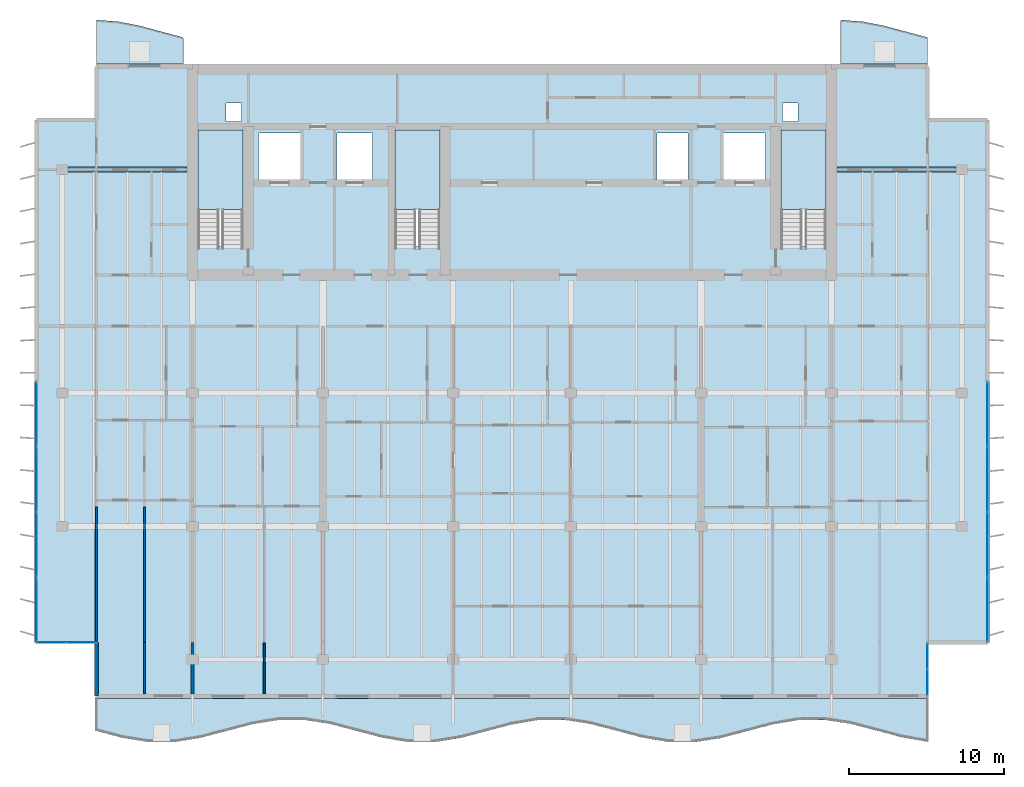
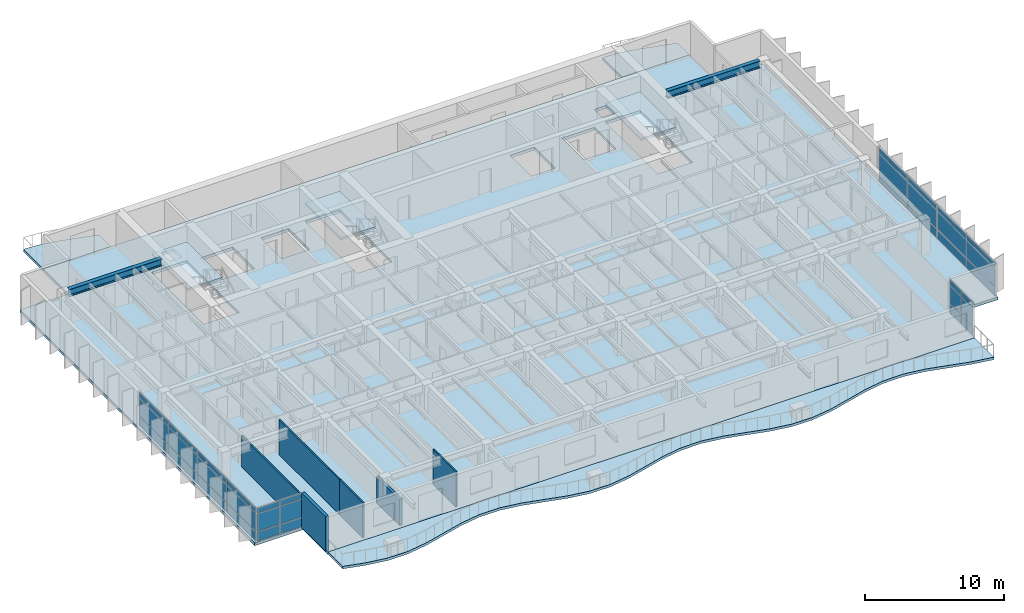
# One storey, part 5 of 17: 36 plates, 7 slabs, 6 walls, 2 beams, 7 elements without a shape of their own.
"""IFC4 building model written with IfcOpenShell, lengths in metres."""

from ifc_helpers import new_model, si_unit, direction, frame, frame_2d, origin, origin_2d, place, context, subcontext, project, spatial, polyline, rectangle, i_section, outline, extrude, material, layer, layer_set, material_profile, profile_set, type_object, element, aggregate, save


model = new_model("IFC4")

# Units and contexts
model_context = context("Model", 3, precision=1e-05, world=origin(), true_north=direction((0.0, 1.0)))
body_context = subcontext(model_context, "Body", "Model", "MODEL_VIEW")
ifc_project = project(units=[si_unit("LENGTHUNIT", "METRE"), si_unit("AREAUNIT", "SQUARE_METRE"), si_unit("VOLUMEUNIT", "CUBIC_METRE"), si_unit("PLANEANGLEUNIT", "RADIAN"), si_unit("MASSUNIT", "GRAM", prefix="KILO")], contexts=[model_context])

# Site, building, storey
site_placement = place(None, origin())
site = spatial("IfcSite", under=ifc_project, at=site_placement, CompositionType="ELEMENT")
building_placement = place(site_placement, origin())
building = spatial("IfcBuilding", under=site, at=building_placement, Name="Caelmar Bay Residences", CompositionType="ELEMENT")
storey_placement = place(building_placement, frame((0.0, 0.0, 246.300048828125)))
storey = spatial("IfcBuildingStorey", under=building, at=storey_placement, Name="L69", CompositionType="ELEMENT", Elevation=246.300048828125)

# Beams
ifc_material_1 = material(Name="Steel ASTM A992 Grade 50", Category="steel")
ifc_material_profile = material_profile(ifc_material_1, i_section(OverallWidth=0.324951171875, OverallDepth=0.616943359375, WebThickness=0.013916015625, FlangeThickness=0.021484375, FilletRadius=0.0126953125, at=origin_2d()), Name="W24X117")
ifc_profile_set = profile_set([ifc_material_profile], Name="Steel ASTM A992 Grade 50")
beam_type = type_object("IfcBeamType", Name="BM-SPN-W24X117", PredefinedType="SPANDREL", material=ifc_profile_set)
beam_1_placement = place(storey_placement, frame((10.264892578125, 43.800048828125, 2.741455078125), z_axis=(1.0, 0.0, 0.0), x_axis=(0.0, 1.0, 0.0)))
element("IfcBeam", 1, at=beam_1_placement, inside=storey, type_object=beam_type, Name="L69 North-West Wing Core Tie Girder", PredefinedType="SPANDREL", context=body_context, shape_type="SweptSolid", body=[
    extrude(i_section(OverallWidth=0.324951171875, OverallDepth=0.616943359375, WebThickness=0.013916015625, FlangeThickness=0.021484375, FilletRadius=0.0126953125, at=origin_2d()), origin(), (0.0, 0.0, 1.0), 7.68505859375),
])
beam_2_placement = place(storey_placement, frame((59.85009765625, 43.800048828125, 2.741455078125), z_axis=(1.0, 0.0, 0.0), x_axis=(0.0, 1.0, 0.0)))
element("IfcBeam", 2, at=beam_2_placement, inside=storey, type_object=beam_type, Name="L69 North-East Wing Core Tie Girder", PredefinedType="SPANDREL", context=body_context, shape_type="SweptSolid", body=[
    extrude(i_section(OverallWidth=0.324951171875, OverallDepth=0.616943359375, WebThickness=0.013916015625, FlangeThickness=0.021484375, FilletRadius=0.0126953125, at=origin_2d()), origin(), (0.0, 0.0, 1.0), 7.684814453125),
])

# Curtain wall, plates
ifc_material_2 = material(Name="Anodised bronze aluminium 6063-T6 and laminated glass", Category="aluminium")
ifc_layer_1 = layer(ifc_material_2, 0.179931640625)
ifc_layer_set_1 = layer_set([ifc_layer_1], Name="Anodised bronze aluminium 6063-T6 and laminated glass")
curtain_wall_type_1 = type_object("IfcCurtainWallType", Name="CW6-NTC", PredefinedType="NOTDEFINED", material=ifc_layer_set_1)
curtain_wall_1_placement = place(storey_placement, origin())
curtain_wall_1 = element("IfcCurtainWall", 3, at=curtain_wall_1_placement, inside=storey, type_object=curtain_wall_type_1, Name="CW6 curtain wall L69", PredefinedType="NOTDEFINED")
ifc_material_3 = material(Name="Bronze-tinted laminated low-E hurricane glass 28 mm", Category="glass")
ifc_layer_2 = layer(ifc_material_3, 0.028076171875)
ifc_layer_set_2 = layer_set([ifc_layer_2], Name="Bronze-tinted laminated low-E hurricane glass 28 mm")
plate_type_1 = type_object("IfcPlateType", Name="CWP-GLZ28", PredefinedType="CURTAIN_PANEL", material=ifc_layer_set_2)
plate_1_placement = place(storey_placement, frame((9.232421875, 13.300048828125, 0.080078125), z_axis=(0.0, 0.0, 1.0), x_axis=(1.0, 0.0, 0.0)))
plate_1 = element("IfcPlate", 4, at=plate_1_placement, type_object=plate_type_1, Name="CW6 panel 1.1", PredefinedType="CURTAIN_PANEL", context=body_context, shape_type="SweptSolid", body=[
    extrude(rectangle(XDim=1.804931640625, YDim=0.028076171875, at=origin_2d()), origin(), (0.0, 0.0, 1.0), 0.780029296875),
])
plate_2_placement = place(storey_placement, frame((9.232421875, 13.300048828125, 0.93994140625), z_axis=(0.0, 0.0, 1.0), x_axis=(1.0, 0.0, 0.0)))
plate_2 = element("IfcPlate", 5, at=plate_2_placement, type_object=plate_type_1, Name="CW6 panel 1.2", PredefinedType="CURTAIN_PANEL", context=body_context, shape_type="SweptSolid", body=[
    extrude(rectangle(XDim=1.804931640625, YDim=0.028076171875, at=origin_2d()), origin(), (0.0, 0.0, 1.0), 1.52001953125),
])
plate_3_placement = place(storey_placement, frame((9.232421875, 13.300048828125, 2.5400390625), z_axis=(0.0, 0.0, 1.0), x_axis=(1.0, 0.0, 0.0)))
plate_3 = element("IfcPlate", 6, at=plate_3_placement, type_object=plate_type_1, Name="CW6 panel 1.3", PredefinedType="CURTAIN_PANEL", context=body_context, shape_type="SweptSolid", body=[
    extrude(rectangle(XDim=1.804931640625, YDim=0.028076171875, at=origin_2d()), origin(), (0.0, 0.0, 1.0), 0.429931640625),
])
plate_4_placement = place(storey_placement, frame((11.117431640625, 13.300048828125, 0.080078125), z_axis=(0.0, 0.0, 1.0), x_axis=(1.0, 0.0, 0.0)))
plate_4 = element("IfcPlate", 7, at=plate_4_placement, type_object=plate_type_1, Name="CW6 panel 2.1", PredefinedType="CURTAIN_PANEL", context=body_context, shape_type="SweptSolid", body=[
    extrude(rectangle(XDim=1.804931640625, YDim=0.028076171875, at=origin_2d()), origin(), (0.0, 0.0, 1.0), 0.780029296875),
])
plate_5_placement = place(storey_placement, frame((11.117431640625, 13.300048828125, 0.93994140625), z_axis=(0.0, 0.0, 1.0), x_axis=(1.0, 0.0, 0.0)))
plate_5 = element("IfcPlate", 8, at=plate_5_placement, type_object=plate_type_1, Name="CW6 panel 2.2", PredefinedType="CURTAIN_PANEL", context=body_context, shape_type="SweptSolid", body=[
    extrude(rectangle(XDim=1.804931640625, YDim=0.028076171875, at=origin_2d()), origin(), (0.0, 0.0, 1.0), 1.52001953125),
])
plate_6_placement = place(storey_placement, frame((11.117431640625, 13.300048828125, 2.5400390625), z_axis=(0.0, 0.0, 1.0), x_axis=(1.0, 0.0, 0.0)))
plate_6 = element("IfcPlate", 9, at=plate_6_placement, type_object=plate_type_1, Name="CW6 panel 2.3", PredefinedType="CURTAIN_PANEL", context=body_context, shape_type="SweptSolid", body=[
    extrude(rectangle(XDim=1.804931640625, YDim=0.028076171875, at=origin_2d()), origin(), (0.0, 0.0, 1.0), 0.429931640625),
])
aggregate(curtain_wall_1, [plate_1, plate_2, plate_3, plate_4, plate_5, plate_6])

curtain_wall_2_placement = place(storey_placement, origin())
curtain_wall_2 = element("IfcCurtainWall", 10, at=curtain_wall_2_placement, inside=storey, type_object=curtain_wall_type_1, Name="CW6 curtain wall L69", PredefinedType="NOTDEFINED")
plate_7_placement = place(storey_placement, frame((65.699951171875, 10.732421875, 0.080078125), z_axis=(0.0, 0.0, 1.0), x_axis=(0.0, 1.0, 0.0)))
plate_7 = element("IfcPlate", 11, at=plate_7_placement, type_object=plate_type_1, Name="CW6 panel 1.1", PredefinedType="CURTAIN_PANEL", context=body_context, shape_type="SweptSolid", body=[
    extrude(rectangle(XDim=1.60498046875, YDim=0.028076171875, at=origin_2d()), origin(), (0.0, 0.0, 1.0), 0.780029296875),
])
plate_8_placement = place(storey_placement, frame((65.699951171875, 10.732421875, 0.93994140625), z_axis=(0.0, 0.0, 1.0), x_axis=(0.0, 1.0, 0.0)))
plate_8 = element("IfcPlate", 12, at=plate_8_placement, type_object=plate_type_1, Name="CW6 panel 1.2", PredefinedType="CURTAIN_PANEL", context=body_context, shape_type="SweptSolid", body=[
    extrude(rectangle(XDim=1.60498046875, YDim=0.028076171875, at=origin_2d()), origin(), (0.0, 0.0, 1.0), 1.52001953125),
])
plate_9_placement = place(storey_placement, frame((65.699951171875, 10.732421875, 2.5400390625), z_axis=(0.0, 0.0, 1.0), x_axis=(0.0, 1.0, 0.0)))
plate_9 = element("IfcPlate", 13, at=plate_9_placement, type_object=plate_type_1, Name="CW6 panel 1.3", PredefinedType="CURTAIN_PANEL", context=body_context, shape_type="SweptSolid", body=[
    extrude(rectangle(XDim=1.60498046875, YDim=0.028076171875, at=origin_2d()), origin(), (0.0, 0.0, 1.0), 0.429931640625),
])
plate_10_placement = place(storey_placement, frame((65.699951171875, 12.41748046875, 0.080078125), z_axis=(0.0, 0.0, 1.0), x_axis=(0.0, 1.0, 0.0)))
plate_10 = element("IfcPlate", 14, at=plate_10_placement, type_object=plate_type_1, Name="CW6 panel 2.1", PredefinedType="CURTAIN_PANEL", context=body_context, shape_type="SweptSolid", body=[
    extrude(rectangle(XDim=1.60498046875, YDim=0.028076171875, at=origin_2d()), origin(), (0.0, 0.0, 1.0), 0.780029296875),
])
plate_11_placement = place(storey_placement, frame((65.699951171875, 12.41748046875, 0.93994140625), z_axis=(0.0, 0.0, 1.0), x_axis=(0.0, 1.0, 0.0)))
plate_11 = element("IfcPlate", 15, at=plate_11_placement, type_object=plate_type_1, Name="CW6 panel 2.2", PredefinedType="CURTAIN_PANEL", context=body_context, shape_type="SweptSolid", body=[
    extrude(rectangle(XDim=1.60498046875, YDim=0.028076171875, at=origin_2d()), origin(), (0.0, 0.0, 1.0), 1.52001953125),
])
plate_12_placement = place(storey_placement, frame((65.699951171875, 12.41748046875, 2.5400390625), z_axis=(0.0, 0.0, 1.0), x_axis=(0.0, 1.0, 0.0)))
plate_12 = element("IfcPlate", 16, at=plate_12_placement, type_object=plate_type_1, Name="CW6 panel 2.3", PredefinedType="CURTAIN_PANEL", context=body_context, shape_type="SweptSolid", body=[
    extrude(rectangle(XDim=1.60498046875, YDim=0.028076171875, at=origin_2d()), origin(), (0.0, 0.0, 1.0), 0.429931640625),
])
aggregate(curtain_wall_2, [plate_7, plate_8, plate_9, plate_10, plate_11, plate_12])

ifc_layer_3 = layer(ifc_material_2, 0.179931640625)
ifc_layer_set_3 = layer_set([ifc_layer_3], Name="Anodised bronze aluminium 6063-T6 and laminated glass")
curtain_wall_type_2 = type_object("IfcCurtainWallType", Name="CW5-Z4", PredefinedType="NOTDEFINED", material=ifc_layer_set_3)
curtain_wall_3_placement = place(storey_placement, origin())
curtain_wall_3 = element("IfcCurtainWall", 17, at=curtain_wall_3_placement, inside=storey, type_object=curtain_wall_type_2, Name="CW5 curtain wall L69", PredefinedType="NOTDEFINED")
ifc_material_4 = material(Name="Bronze-tinted laminated low-E hurricane glass 32 mm", Category="glass")
ifc_layer_4 = layer(ifc_material_4, 0.031982421875)
ifc_layer_set_4 = layer_set([ifc_layer_4], Name="Bronze-tinted laminated low-E hurricane glass 32 mm")
plate_type_2 = type_object("IfcPlateType", Name="CWP-GLZ32", PredefinedType="CURTAIN_PANEL", material=ifc_layer_set_4)
plate_13_placement = place(storey_placement, frame((8.25, 15.42626953125, 0.080078125), z_axis=(0.0, 0.0, 1.0), x_axis=(0.0, 1.0, 0.0)))
plate_13 = element("IfcPlate", 18, at=plate_13_placement, type_object=plate_type_2, Name="CW5 panel 1.1", PredefinedType="CURTAIN_PANEL", context=body_context, shape_type="SweptSolid", body=[
    extrude(rectangle(XDim=4.092529296875, YDim=0.031982421875, at=origin_2d()), origin(), (0.0, 0.0, 1.0), 0.780029296875),
])
plate_14_placement = place(storey_placement, frame((8.25, 15.42626953125, 0.93994140625), z_axis=(0.0, 0.0, 1.0), x_axis=(0.0, 1.0, 0.0)))
plate_14 = element("IfcPlate", 19, at=plate_14_placement, type_object=plate_type_2, Name="CW5 panel 1.2", PredefinedType="CURTAIN_PANEL", context=body_context, shape_type="SweptSolid", body=[
    extrude(rectangle(XDim=4.092529296875, YDim=0.031982421875, at=origin_2d()), origin(), (0.0, 0.0, 1.0), 1.52001953125),
])
plate_15_placement = place(storey_placement, frame((8.25, 15.42626953125, 2.5400390625), z_axis=(0.0, 0.0, 1.0), x_axis=(0.0, 1.0, 0.0)))
plate_15 = element("IfcPlate", 20, at=plate_15_placement, type_object=plate_type_2, Name="CW5 panel 1.3", PredefinedType="CURTAIN_PANEL", context=body_context, shape_type="SweptSolid", body=[
    extrude(rectangle(XDim=4.092529296875, YDim=0.031982421875, at=origin_2d()), origin(), (0.0, 0.0, 1.0), 0.429931640625),
])
plate_16_placement = place(storey_placement, frame((8.25, 19.61865234375, 0.080078125), z_axis=(0.0, 0.0, 1.0), x_axis=(0.0, 1.0, 0.0)))
plate_16 = element("IfcPlate", 21, at=plate_16_placement, type_object=plate_type_2, Name="CW5 panel 2.1", PredefinedType="CURTAIN_PANEL", context=body_context, shape_type="SweptSolid", body=[
    extrude(rectangle(XDim=4.132568359375, YDim=0.031982421875, at=origin_2d()), origin(), (0.0, 0.0, 1.0), 0.780029296875),
])
plate_17_placement = place(storey_placement, frame((8.25, 19.61865234375, 0.93994140625), z_axis=(0.0, 0.0, 1.0), x_axis=(0.0, 1.0, 0.0)))
plate_17 = element("IfcPlate", 22, at=plate_17_placement, type_object=plate_type_2, Name="CW5 panel 2.2", PredefinedType="CURTAIN_PANEL", context=body_context, shape_type="SweptSolid", body=[
    extrude(rectangle(XDim=4.132568359375, YDim=0.031982421875, at=origin_2d()), origin(), (0.0, 0.0, 1.0), 1.52001953125),
])
plate_18_placement = place(storey_placement, frame((8.25, 19.61865234375, 2.5400390625), z_axis=(0.0, 0.0, 1.0), x_axis=(0.0, 1.0, 0.0)))
plate_18 = element("IfcPlate", 23, at=plate_18_placement, type_object=plate_type_2, Name="CW5 panel 2.3", PredefinedType="CURTAIN_PANEL", context=body_context, shape_type="SweptSolid", body=[
    extrude(rectangle(XDim=4.132568359375, YDim=0.031982421875, at=origin_2d()), origin(), (0.0, 0.0, 1.0), 0.429931640625),
])
plate_19_placement = place(storey_placement, frame((8.25, 23.831298828125, 0.080078125), z_axis=(0.0, 0.0, 1.0), x_axis=(0.0, 1.0, 0.0)))
plate_19 = element("IfcPlate", 24, at=plate_19_placement, type_object=plate_type_2, Name="CW5 panel 3.1", PredefinedType="CURTAIN_PANEL", context=body_context, shape_type="SweptSolid", body=[
    extrude(rectangle(XDim=4.132568359375, YDim=0.031982421875, at=origin_2d()), origin(), (0.0, 0.0, 1.0), 0.780029296875),
])
plate_20_placement = place(storey_placement, frame((8.25, 23.831298828125, 0.93994140625), z_axis=(0.0, 0.0, 1.0), x_axis=(0.0, 1.0, 0.0)))
plate_20 = element("IfcPlate", 25, at=plate_20_placement, type_object=plate_type_2, Name="CW5 panel 3.2", PredefinedType="CURTAIN_PANEL", context=body_context, shape_type="SweptSolid", body=[
    extrude(rectangle(XDim=4.132568359375, YDim=0.031982421875, at=origin_2d()), origin(), (0.0, 0.0, 1.0), 1.52001953125),
])
plate_21_placement = place(storey_placement, frame((8.25, 23.831298828125, 2.5400390625), z_axis=(0.0, 0.0, 1.0), x_axis=(0.0, 1.0, 0.0)))
plate_21 = element("IfcPlate", 26, at=plate_21_placement, type_object=plate_type_2, Name="CW5 panel 3.3", PredefinedType="CURTAIN_PANEL", context=body_context, shape_type="SweptSolid", body=[
    extrude(rectangle(XDim=4.132568359375, YDim=0.031982421875, at=origin_2d()), origin(), (0.0, 0.0, 1.0), 0.429931640625),
])
plate_22_placement = place(storey_placement, frame((8.25, 28.023681640625, 0.080078125), z_axis=(0.0, 0.0, 1.0), x_axis=(0.0, 1.0, 0.0)))
plate_22 = element("IfcPlate", 27, at=plate_22_placement, type_object=plate_type_2, Name="CW5 panel 4.1", PredefinedType="CURTAIN_PANEL", context=body_context, shape_type="SweptSolid", body=[
    extrude(rectangle(XDim=4.092529296875, YDim=0.031982421875, at=origin_2d()), origin(), (0.0, 0.0, 1.0), 0.780029296875),
])
plate_23_placement = place(storey_placement, frame((8.25, 28.023681640625, 0.93994140625), z_axis=(0.0, 0.0, 1.0), x_axis=(0.0, 1.0, 0.0)))
plate_23 = element("IfcPlate", 28, at=plate_23_placement, type_object=plate_type_2, Name="CW5 panel 4.2", PredefinedType="CURTAIN_PANEL", context=body_context, shape_type="SweptSolid", body=[
    extrude(rectangle(XDim=4.092529296875, YDim=0.031982421875, at=origin_2d()), origin(), (0.0, 0.0, 1.0), 1.52001953125),
])
plate_24_placement = place(storey_placement, frame((8.25, 28.023681640625, 2.5400390625), z_axis=(0.0, 0.0, 1.0), x_axis=(0.0, 1.0, 0.0)))
plate_24 = element("IfcPlate", 29, at=plate_24_placement, type_object=plate_type_2, Name="CW5 panel 4.3", PredefinedType="CURTAIN_PANEL", context=body_context, shape_type="SweptSolid", body=[
    extrude(rectangle(XDim=4.092529296875, YDim=0.031982421875, at=origin_2d()), origin(), (0.0, 0.0, 1.0), 0.429931640625),
])
aggregate(curtain_wall_3, [plate_13, plate_14, plate_15, plate_16, plate_17, plate_18, plate_19, plate_20, plate_21, plate_22, plate_23, plate_24])

curtain_wall_4_placement = place(storey_placement, origin())
curtain_wall_4 = element("IfcCurtainWall", 30, at=curtain_wall_4_placement, inside=storey, type_object=curtain_wall_type_2, Name="CW5 curtain wall L69", PredefinedType="NOTDEFINED")
plate_25_placement = place(storey_placement, frame((69.550048828125, 28.023681640625, 0.080078125), z_axis=(0.0, 0.0, 1.0), x_axis=(0.0, -1.0, 0.0)))
plate_25 = element("IfcPlate", 31, at=plate_25_placement, type_object=plate_type_2, Name="CW5 panel 1.1", PredefinedType="CURTAIN_PANEL", context=body_context, shape_type="SweptSolid", body=[
    extrude(rectangle(XDim=4.092529296875, YDim=0.031982421875, at=origin_2d()), origin(), (0.0, 0.0, 1.0), 0.780029296875),
])
plate_26_placement = place(storey_placement, frame((69.550048828125, 28.023681640625, 0.93994140625), z_axis=(0.0, 0.0, 1.0), x_axis=(0.0, -1.0, 0.0)))
plate_26 = element("IfcPlate", 32, at=plate_26_placement, type_object=plate_type_2, Name="CW5 panel 1.2", PredefinedType="CURTAIN_PANEL", context=body_context, shape_type="SweptSolid", body=[
    extrude(rectangle(XDim=4.092529296875, YDim=0.031982421875, at=origin_2d()), origin(), (0.0, 0.0, 1.0), 1.52001953125),
])
plate_27_placement = place(storey_placement, frame((69.550048828125, 28.023681640625, 2.5400390625), z_axis=(0.0, 0.0, 1.0), x_axis=(0.0, -1.0, 0.0)))
plate_27 = element("IfcPlate", 33, at=plate_27_placement, type_object=plate_type_2, Name="CW5 panel 1.3", PredefinedType="CURTAIN_PANEL", context=body_context, shape_type="SweptSolid", body=[
    extrude(rectangle(XDim=4.092529296875, YDim=0.031982421875, at=origin_2d()), origin(), (0.0, 0.0, 1.0), 0.429931640625),
])
plate_28_placement = place(storey_placement, frame((69.550048828125, 23.831298828125, 0.080078125), z_axis=(0.0, 0.0, 1.0), x_axis=(0.0, -1.0, 0.0)))
plate_28 = element("IfcPlate", 34, at=plate_28_placement, type_object=plate_type_2, Name="CW5 panel 2.1", PredefinedType="CURTAIN_PANEL", context=body_context, shape_type="SweptSolid", body=[
    extrude(rectangle(XDim=4.132568359375, YDim=0.031982421875, at=origin_2d()), origin(), (0.0, 0.0, 1.0), 0.780029296875),
])
plate_29_placement = place(storey_placement, frame((69.550048828125, 23.831298828125, 0.93994140625), z_axis=(0.0, 0.0, 1.0), x_axis=(0.0, -1.0, 0.0)))
plate_29 = element("IfcPlate", 35, at=plate_29_placement, type_object=plate_type_2, Name="CW5 panel 2.2", PredefinedType="CURTAIN_PANEL", context=body_context, shape_type="SweptSolid", body=[
    extrude(rectangle(XDim=4.132568359375, YDim=0.031982421875, at=origin_2d()), origin(), (0.0, 0.0, 1.0), 1.52001953125),
])
plate_30_placement = place(storey_placement, frame((69.550048828125, 23.831298828125, 2.5400390625), z_axis=(0.0, 0.0, 1.0), x_axis=(0.0, -1.0, 0.0)))
plate_30 = element("IfcPlate", 36, at=plate_30_placement, type_object=plate_type_2, Name="CW5 panel 2.3", PredefinedType="CURTAIN_PANEL", context=body_context, shape_type="SweptSolid", body=[
    extrude(rectangle(XDim=4.132568359375, YDim=0.031982421875, at=origin_2d()), origin(), (0.0, 0.0, 1.0), 0.429931640625),
])
plate_31_placement = place(storey_placement, frame((69.550048828125, 19.61865234375, 0.080078125), z_axis=(0.0, 0.0, 1.0), x_axis=(0.0, -1.0, 0.0)))
plate_31 = element("IfcPlate", 37, at=plate_31_placement, type_object=plate_type_2, Name="CW5 panel 3.1", PredefinedType="CURTAIN_PANEL", context=body_context, shape_type="SweptSolid", body=[
    extrude(rectangle(XDim=4.132568359375, YDim=0.031982421875, at=origin_2d()), origin(), (0.0, 0.0, 1.0), 0.780029296875),
])
plate_32_placement = place(storey_placement, frame((69.550048828125, 19.61865234375, 0.93994140625), z_axis=(0.0, 0.0, 1.0), x_axis=(0.0, -1.0, 0.0)))
plate_32 = element("IfcPlate", 38, at=plate_32_placement, type_object=plate_type_2, Name="CW5 panel 3.2", PredefinedType="CURTAIN_PANEL", context=body_context, shape_type="SweptSolid", body=[
    extrude(rectangle(XDim=4.132568359375, YDim=0.031982421875, at=origin_2d()), origin(), (0.0, 0.0, 1.0), 1.52001953125),
])
plate_33_placement = place(storey_placement, frame((69.550048828125, 19.61865234375, 2.5400390625), z_axis=(0.0, 0.0, 1.0), x_axis=(0.0, -1.0, 0.0)))
plate_33 = element("IfcPlate", 39, at=plate_33_placement, type_object=plate_type_2, Name="CW5 panel 3.3", PredefinedType="CURTAIN_PANEL", context=body_context, shape_type="SweptSolid", body=[
    extrude(rectangle(XDim=4.132568359375, YDim=0.031982421875, at=origin_2d()), origin(), (0.0, 0.0, 1.0), 0.429931640625),
])
plate_34_placement = place(storey_placement, frame((69.550048828125, 15.42626953125, 0.080078125), z_axis=(0.0, 0.0, 1.0), x_axis=(0.0, -1.0, 0.0)))
plate_34 = element("IfcPlate", 40, at=plate_34_placement, type_object=plate_type_2, Name="CW5 panel 4.1", PredefinedType="CURTAIN_PANEL", context=body_context, shape_type="SweptSolid", body=[
    extrude(rectangle(XDim=4.092529296875, YDim=0.031982421875, at=origin_2d()), origin(), (0.0, 0.0, 1.0), 0.780029296875),
])
plate_35_placement = place(storey_placement, frame((69.550048828125, 15.42626953125, 0.93994140625), z_axis=(0.0, 0.0, 1.0), x_axis=(0.0, -1.0, 0.0)))
plate_35 = element("IfcPlate", 41, at=plate_35_placement, type_object=plate_type_2, Name="CW5 panel 4.2", PredefinedType="CURTAIN_PANEL", context=body_context, shape_type="SweptSolid", body=[
    extrude(rectangle(XDim=4.092529296875, YDim=0.031982421875, at=origin_2d()), origin(), (0.0, 0.0, 1.0), 1.52001953125),
])
plate_36_placement = place(storey_placement, frame((69.550048828125, 15.42626953125, 2.5400390625), z_axis=(0.0, 0.0, 1.0), x_axis=(0.0, -1.0, 0.0)))
plate_36 = element("IfcPlate", 42, at=plate_36_placement, type_object=plate_type_2, Name="CW5 panel 4.3", PredefinedType="CURTAIN_PANEL", context=body_context, shape_type="SweptSolid", body=[
    extrude(rectangle(XDim=4.092529296875, YDim=0.031982421875, at=origin_2d()), origin(), (0.0, 0.0, 1.0), 0.429931640625),
])
aggregate(curtain_wall_4, [plate_25, plate_26, plate_27, plate_28, plate_29, plate_30, plate_31, plate_32, plate_33, plate_34, plate_35, plate_36])

# Slabs
ifc_material_5 = material(Name="Concrete f'c 40 MPa (6,000 psi)", Category="concrete")
ifc_layer_5 = layer(ifc_material_5, 0.219970703125)
ifc_layer_set_5 = layer_set([ifc_layer_5], Name="Concrete f'c 40 MPa (6,000 psi)")
slab_type_1 = type_object("IfcSlabType", Name="SLB-BAL-220", PredefinedType="FLOOR", material=ifc_layer_set_5)
slab_1_placement = place(storey_placement, frame((0.0, 0.0, -0.219970703125)))
element("IfcSlab", 43, at=slab_1_placement, inside=storey, type_object=slab_type_1, Name="L69 Sinusoidal Tree-Balcony Slab south", PredefinedType="FLOOR", context=body_context, shape_type="SweptSolid", body=[
    extrude(outline(polyline([(12.10009765625, 7.60009765625), (13.77490234375, 7.160400390625), (15.449951171875, 6.8876953125), (17.125, 6.885498046875), (18.800048828125, 7.154541015625), (20.47509765625, 7.593017578125), (22.14990234375, 8.033935546875), (23.824951171875, 8.310302734375), (25.5, 8.316650390625), (27.175048828125, 8.051025390625), (28.85009765625, 7.614013671875), (30.52490234375, 7.171630859375), (32.199951171875, 6.89208984375), (33.875, 6.88134765625), (35.550048828125, 7.143310546875), (37.22509765625, 7.5791015625), (38.89990234375, 8.0224609375), (40.574951171875, 8.3056640625), (42.25, 8.32080078125), (43.925048828125, 8.06201171875), (45.60009765625, 7.6279296875), (47.27490234375, 7.183349609375), (48.949951171875, 6.896728515625), (50.625, 6.87744140625), (52.300048828125, 7.13232421875), (53.97509765625, 7.56494140625), (55.64990234375, 8.0107421875), (57.324951171875, 8.30078125), (59.0, 8.324462890625), (60.675048828125, 8.072998046875), (62.35009765625, 7.64208984375), (64.02490234375, 7.195068359375), (65.699951171875, 6.90185546875), (65.699951171875, 9.699951171875), (12.10009765625, 9.699951171875), (12.10009765625, 7.60009765625)])), origin(), (0.0, 0.0, 1.0), 0.219970703125),
])
slab_2_placement = place(storey_placement, frame((0.0, 0.0, -0.219970703125)))
element("IfcSlab", 44, at=slab_2_placement, inside=storey, type_object=slab_type_1, Name="L69 Sinusoidal Tree-Balcony Slab north_west", PredefinedType="FLOOR", context=body_context, shape_type="SweptSolid", body=[
    extrude(outline(polyline([(12.10009765625, 50.60009765625), (17.699951171875, 50.60009765625), (17.699951171875, 52.324951171875), (16.300048828125, 52.699951171875), (14.89990234375, 53.074951171875), (13.5, 53.349609375), (12.10009765625, 53.449951171875), (12.10009765625, 50.60009765625)])), origin(), (0.0, 0.0, 1.0), 0.219970703125),
])
slab_3_placement = place(storey_placement, frame((0.0, 0.0, -0.219970703125)))
element("IfcSlab", 45, at=slab_3_placement, inside=storey, type_object=slab_type_1, Name="L69 Sinusoidal Tree-Balcony Slab north_east", PredefinedType="FLOOR", context=body_context, shape_type="SweptSolid", body=[
    extrude(outline(polyline([(60.10009765625, 50.60009765625), (65.699951171875, 50.60009765625), (65.699951171875, 52.324951171875), (64.300048828125, 52.699951171875), (62.89990234375, 53.074951171875), (61.5, 53.349609375), (60.10009765625, 53.449951171875), (60.10009765625, 50.60009765625)])), origin(), (0.0, 0.0, 1.0), 0.219970703125),
])

# Stair, slab
stair_type = type_object("IfcStairType", Name="ST-TYP-165", PredefinedType="HALF_TURN_STAIR", material=ifc_material_5)
stair_1_placement = place(storey_placement, origin())
stair_1 = element("IfcStair", 46, at=stair_1_placement, inside=storey, type_object=stair_type, Name="L69 West Smokeproof Exit Stair ST1", PredefinedType="HALF_TURN_STAIR")
ifc_layer_6 = layer(ifc_material_5, 0.199951171875)
ifc_layer_set_6 = layer_set([ifc_layer_6], Name="Concrete f'c 40 MPa (6,000 psi)")
slab_type_2 = type_object("IfcSlabType", Name="SLB-LND-200", PredefinedType="LANDING", material=ifc_layer_set_6)
slab_4_placement = place(storey_placement, frame((0.0, 0.0, 1.449951171875)))
slab_4 = element("IfcSlab", 47, at=slab_4_placement, type_object=slab_type_2, Name="ST1 landing 1", PredefinedType="LANDING", context=body_context, shape_type="SweptSolid", body=[
    extrude(outline(polyline([(21.550048828125, 41.219970703125), (21.550048828125, 46.35009765625), (18.64990234375, 46.35009765625), (18.64990234375, 41.219970703125), (21.550048828125, 41.219970703125)])), origin(), (0.0, 0.0, 1.0), 0.199951171875),
])
aggregate(stair_1, [slab_4])

stair_2_placement = place(storey_placement, origin())
stair_2 = element("IfcStair", 48, at=stair_2_placement, inside=storey, type_object=stair_type, Name="L69 East Smokeproof Exit Stair ST2", PredefinedType="HALF_TURN_STAIR")
slab_5_placement = place(storey_placement, frame((0.0, 0.0, 1.449951171875)))
slab_5 = element("IfcSlab", 49, at=slab_5_placement, type_object=slab_type_2, Name="ST2 landing 1", PredefinedType="LANDING", context=body_context, shape_type="SweptSolid", body=[
    extrude(outline(polyline([(59.14990234375, 41.219970703125), (59.14990234375, 46.35009765625), (56.25, 46.35009765625), (56.25, 41.219970703125), (59.14990234375, 41.219970703125)])), origin(), (0.0, 0.0, 1.0), 0.199951171875),
])
aggregate(stair_2, [slab_5])

stair_3_placement = place(storey_placement, origin())
stair_3 = element("IfcStair", 50, at=stair_3_placement, inside=storey, type_object=stair_type, Name="L69 Central Smokeproof Exit Stair ST3", PredefinedType="HALF_TURN_STAIR")
slab_6_placement = place(storey_placement, frame((0.0, 0.0, 1.449951171875)))
slab_6 = element("IfcSlab", 51, at=slab_6_placement, type_object=slab_type_2, Name="ST3 landing 1", PredefinedType="LANDING", context=body_context, shape_type="SweptSolid", body=[
    extrude(outline(polyline([(34.25, 41.219970703125), (34.25, 46.35009765625), (31.35009765625, 46.35009765625), (31.35009765625, 41.219970703125), (34.25, 41.219970703125)])), origin(), (0.0, 0.0, 1.0), 0.199951171875),
])
aggregate(stair_3, [slab_6])

# Slab
ifc_layer_7 = layer(ifc_material_5, 0.25)
ifc_layer_set_7 = layer_set([ifc_layer_7], Name="Concrete f'c 40 MPa (6,000 psi)")
slab_type_3 = type_object("IfcSlabType", Name="SLB-RES-250", PredefinedType="FLOOR", material=ifc_layer_set_7)
slab_7_placement = place(storey_placement, frame((0.0, 0.0, -0.25)))
element("IfcSlab", 52, at=slab_7_placement, inside=storey, type_object=slab_type_3, Name="L69 Structural Floor Slab", PredefinedType="FLOOR", context=body_context, shape_type="SweptSolid", body=[
    extrude(outline(polyline([(12.10009765625, 9.699951171875), (65.699951171875, 9.699951171875), (65.699951171875, 13.300048828125), (69.699951171875, 13.300048828125), (69.699951171875, 47.0), (65.699951171875, 47.0), (65.699951171875, 50.60009765625), (12.10009765625, 50.60009765625), (12.10009765625, 47.0), (8.10009765625, 47.0), (8.10009765625, 13.300048828125), (12.10009765625, 13.300048828125), (12.10009765625, 9.699951171875)]), holes=[polyline([(18.64990234375, 38.85009765625), (21.550048828125, 38.85009765625), (21.550048828125, 46.35009765625), (18.64990234375, 46.35009765625), (18.64990234375, 38.85009765625)]), polyline([(56.25, 38.85009765625), (59.14990234375, 38.85009765625), (59.14990234375, 46.35009765625), (56.25, 46.35009765625), (56.25, 38.85009765625)]), polyline([(31.35009765625, 38.85009765625), (34.25, 38.85009765625), (34.25, 46.35009765625), (31.35009765625, 46.35009765625), (31.35009765625, 38.85009765625)]), polyline([(22.550048828125, 43.050048828125), (25.25, 43.050048828125), (25.25, 46.14990234375), (22.550048828125, 46.14990234375), (22.550048828125, 43.050048828125)]), polyline([(52.550048828125, 43.050048828125), (55.25, 43.050048828125), (55.25, 46.14990234375), (52.550048828125, 46.14990234375), (52.550048828125, 43.050048828125)]), polyline([(48.25, 43.14990234375), (50.25, 43.14990234375), (50.25, 46.14990234375), (48.25, 46.14990234375), (48.25, 43.14990234375)]), polyline([(27.60009765625, 43.14990234375), (29.89990234375, 43.14990234375), (29.89990234375, 46.14990234375), (27.60009765625, 46.14990234375), (27.60009765625, 43.14990234375)]), polyline([(20.449951171875, 46.89990234375), (21.449951171875, 46.89990234375), (21.449951171875, 48.10009765625), (20.449951171875, 48.10009765625), (20.449951171875, 46.89990234375)]), polyline([(56.35009765625, 46.89990234375), (57.35009765625, 46.89990234375), (57.35009765625, 48.10009765625), (56.35009765625, 48.10009765625), (56.35009765625, 46.89990234375)])]), origin(), (0.0, 0.0, 1.0), 0.25),
])

# Walls
ifc_material_6 = material(Name="Precast concrete f'c 40 MPa (6,000 psi)", Category="concrete")
ifc_layer_8 = layer(ifc_material_6, 0.25)
ifc_layer_set_8 = layer_set([ifc_layer_8], Name="Precast concrete f'c 40 MPa (6,000 psi)")
wall_type_1 = type_object("IfcWallType", Name="W-EXT-250", PredefinedType="ELEMENTEDWALL", material=ifc_layer_set_8)
wall_1_placement = place(storey_placement, frame((12.10009765625, 13.300048828125, 0.0), z_axis=(0.0, 0.0, 1.0), x_axis=(0.0, -1.0, 0.0)))
element("IfcWall", 53, at=wall_1_placement, inside=storey, type_object=wall_type_1, Name="L69 SW Notch Return Wall", PredefinedType="ELEMENTEDWALL", context=body_context, shape_type="SweptSolid", body=[
    extrude(rectangle(XDim=3.449951171875, YDim=0.25, at=frame_2d((1.72509765625, 0.0))), origin(), (0.0, 0.0, 1.0), 3.050048828125),
])
ifc_material_7 = material(Name="Acoustic metal-stud gypsum partition 120 mm")
ifc_layer_9 = layer(ifc_material_7, 0.1201171875)
ifc_layer_set_9 = layer_set([ifc_layer_9], Name="Acoustic metal-stud gypsum partition 120 mm")
wall_type_2 = type_object("IfcWallType", Name="W-PRT-120", PredefinedType="PARTITIONING", material=ifc_layer_set_9)
wall_2_placement = place(storey_placement, frame((12.10009765625, 13.385009765625, 0.0), z_axis=(0.0, 0.0, 1.0), x_axis=(0.0, 1.0, 0.0)))
element("IfcWall", 54, at=wall_2_placement, inside=storey, type_object=wall_type_2, Name="L69 Partition Wall V001", PredefinedType="PARTITIONING", context=body_context, shape_type="SweptSolid", body=[
    extrude(rectangle(XDim=8.64501953125, YDim=0.1201171875, at=frame_2d((4.322509765625, 0.0))), origin(), (0.0, 0.0, 1.0), 2.724853515625),
])
wall_3_placement = place(storey_placement, frame((15.199951171875, 9.9951171875, 0.0), z_axis=(0.0, 0.0, 1.0), x_axis=(0.0, 1.0, 0.0)))
element("IfcWall", 55, at=wall_3_placement, inside=storey, type_object=wall_type_2, Name="L69 Partition Wall V010", PredefinedType="PARTITIONING", context=body_context, shape_type="SweptSolid", body=[
    extrude(rectangle(XDim=3.304931640625, YDim=0.1201171875, at=frame_2d((1.65234375, 0.0))), origin(), (0.0, 0.0, 1.0), 3.050048828125),
])
wall_4_placement = place(storey_placement, frame((15.199951171875, 13.340087890625, 0.0), z_axis=(0.0, 0.0, 1.0), x_axis=(0.0, 1.0, 0.0)))
element("IfcWall", 56, at=wall_4_placement, inside=storey, type_object=wall_type_2, Name="L69 Partition Wall V011", PredefinedType="PARTITIONING", context=body_context, shape_type="SweptSolid", body=[
    extrude(rectangle(XDim=8.68994140625, YDim=0.1201171875, at=frame_2d((4.344970703125, 0.0))), origin(), (0.0, 0.0, 1.0), 3.050048828125),
])
wall_5_placement = place(storey_placement, frame((22.919921875, 9.9951171875, 0.0), z_axis=(0.0, 0.0, 1.0), x_axis=(0.0, 1.0, 0.0)))
element("IfcWall", 57, at=wall_5_placement, inside=storey, type_object=wall_type_2, Name="L69 Partition Wall V024", PredefinedType="PARTITIONING", context=body_context, shape_type="SweptSolid", body=[
    extrude(rectangle(XDim=3.304931640625, YDim=0.1201171875, at=frame_2d((1.65234375, 0.0))), origin(), (0.0, 0.0, 1.0), 3.050048828125),
])
ifc_material_8 = material(Name="Acoustic twin-stud fire-rated inter-tenancy partition 200 mm")
ifc_layer_10 = layer(ifc_material_8, 0.199951171875)
ifc_layer_set_10 = layer_set([ifc_layer_10], Name="Acoustic twin-stud fire-rated inter-tenancy partition 200 mm")
wall_type_3 = type_object("IfcWallType", Name="W-PTY-200", PredefinedType="PARTITIONING", material=ifc_layer_set_10)
wall_6_placement = place(storey_placement, frame((18.300048828125, 9.9951171875, 0.0), z_axis=(0.0, 0.0, 1.0), x_axis=(0.0, 1.0, 0.0)))
element("IfcWall", 58, at=wall_6_placement, inside=storey, type_object=wall_type_3, Name="L69 Partition Wall V015", PredefinedType="PARTITIONING", context=body_context, shape_type="SweptSolid", body=[
    extrude(rectangle(XDim=3.304931640625, YDim=0.199951171875, at=frame_2d((1.65234375, 0.0))), origin(), (0.0, 0.0, 1.0), 2.262939453125),
])

save(model, "model.ifc")
